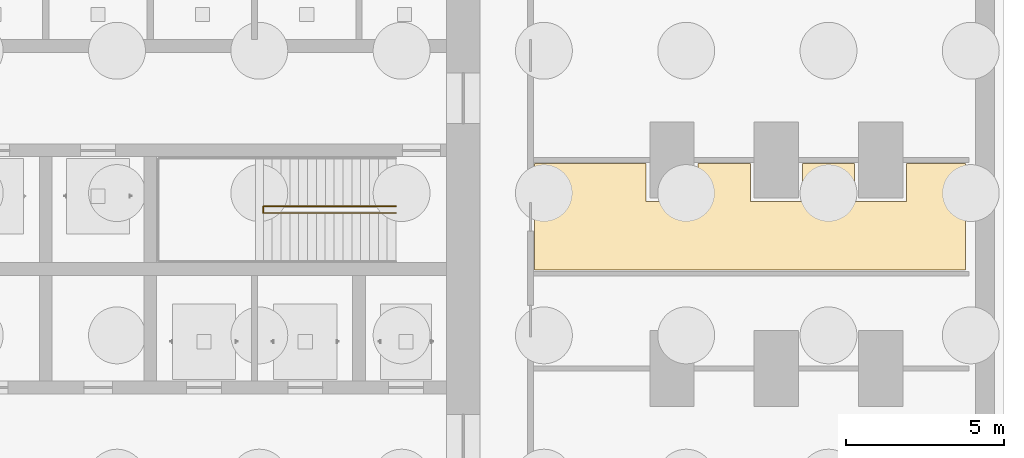
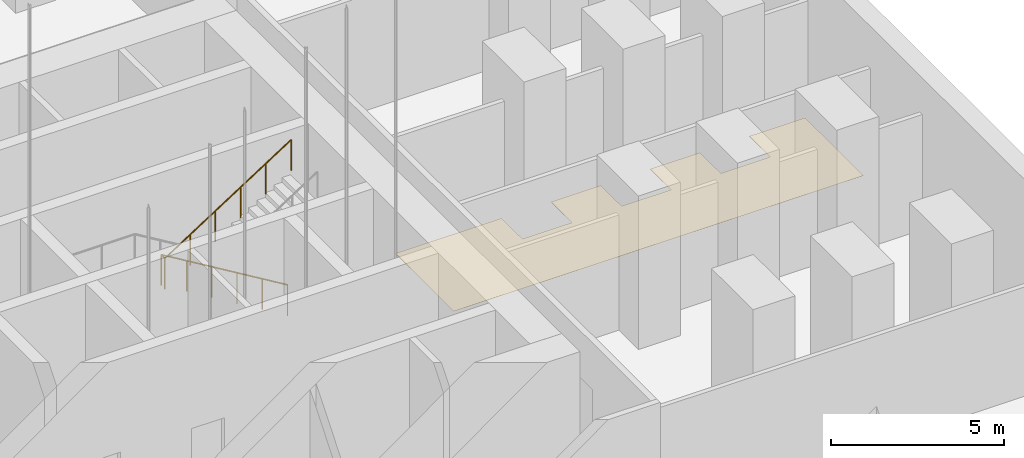
# One storey, part 7 of 17: 1 covering, 1 railing.
"""IFC4 building model written with IfcOpenShell, lengths in metres."""

from ifc_helpers import new_model, si_unit, direction, frame, origin, place, context, subcontext, project, spatial, polyline, outline, extrude, material, layer, layer_set, type_object, element, save


model = new_model("IFC4")

# Units and contexts
model_context = context("Model", 3, precision=1e-05, world=origin(), true_north=direction((0.0, 1.0)))
body_context = subcontext(model_context, "Body", "Model", "MODEL_VIEW")
ifc_project = project(units=[si_unit("LENGTHUNIT", "METRE"), si_unit("AREAUNIT", "SQUARE_METRE"), si_unit("VOLUMEUNIT", "CUBIC_METRE"), si_unit("PLANEANGLEUNIT", "RADIAN"), si_unit("MASSUNIT", "GRAM", prefix="KILO")], contexts=[model_context])

# Site, building, storey
site_placement = place(None, origin())
site = spatial("IfcSite", under=ifc_project, at=site_placement, CompositionType="ELEMENT")
building_placement = place(site_placement, origin())
building = spatial("IfcBuilding", under=site, at=building_placement, Name="Cobogo Forest Laboratory Tower", CompositionType="ELEMENT")
storey_placement = place(building_placement, frame((0.0, 0.0, -5.39990234375)))
storey = spatial("IfcBuildingStorey", under=building, at=storey_placement, Name="L-01", CompositionType="ELEMENT", Elevation=-5.39990234375)

# Railing
ifc_material_1 = material(Name="Steel balustrade", Category="steel")
railing_type = type_object("IfcRailingType", Name="GR stair guard 1100", PredefinedType="GUARDRAIL", material=ifc_material_1)
railing_placement = place(storey_placement, frame((37.47509765625, 24.929931640625, 0.168701171875)))
element("IfcRailing", 1, at=railing_placement, inside=storey, type_object=railing_type, Name="Stair guard ST2 L-01", PredefinedType="GUARDRAIL", context=body_context, shape_type="SweptSolid", body=[
    extrude(outline(polyline([(0.022216796875, 0.00927734375), (0.00927734375, 0.022216796875), (-0.00927734375, 0.022216796875), (-0.022216796875, 0.00927734375), (-0.022216796875, -0.00927734375), (-0.00927734375, -0.022216796875), (0.00927734375, -0.022216796875), (0.022216796875, -0.00927734375), (0.022216796875, 0.00927734375)])), frame((0.0, 0.0, 1.077880859375), z_axis=(-0.856489757249, 0.0, 0.516164020179), x_axis=(0.0, -1.0, 0.0)), (0.0, 0.0, 1.0), 4.904052734375),
    extrude(outline(polyline([(0.022216796875, 0.00927734375), (0.00927734375, 0.022216796875), (-0.00927734375, 0.022216796875), (-0.022216796875, 0.00927734375), (-0.022216796875, -0.00927734375), (-0.00927734375, -0.022216796875), (0.00927734375, -0.022216796875), (0.022216796875, -0.00927734375), (0.022216796875, 0.00927734375)])), frame((-4.2001953125, 0.0, 3.609130859375), z_axis=(0.0, -1.0, 0.0), x_axis=(1.0, 0.0, 0.0)), (0.0, 0.0, 1.0), 0.2099609375),
    extrude(outline(polyline([(0.022216796875, 0.00927734375), (0.00927734375, 0.022216796875), (-0.00927734375, 0.022216796875), (-0.022216796875, 0.00927734375), (-0.022216796875, -0.00927734375), (-0.00927734375, -0.022216796875), (0.00927734375, -0.022216796875), (0.022216796875, -0.00927734375), (0.022216796875, 0.00927734375)])), frame((-4.2001953125, -0.2099609375, 3.609130859375), z_axis=(0.841194361566, 0.0, 0.540732878665), x_axis=(0.0, 1.0, 0.0)), (0.0, 0.0, 1.0), 4.9931640625),
    extrude(outline(polyline([(0.019287109375, 0.008056640625), (0.008056640625, 0.019287109375), (-0.008056640625, 0.019287109375), (-0.019287109375, 0.008056640625), (-0.019287109375, -0.008056640625), (-0.008056640625, -0.019287109375), (0.008056640625, -0.019287109375), (0.019287109375, -0.008056640625), (0.019287109375, 0.008056640625)])), origin(), (0.0, 0.0, 1.0), 1.077880859375),
    extrude(outline(polyline([(0.019287109375, 0.008056640625), (0.008056640625, 0.019287109375), (-0.008056640625, 0.019287109375), (-0.019287109375, 0.008056640625), (-0.019287109375, -0.008056640625), (-0.008056640625, -0.019287109375), (0.008056640625, -0.019287109375), (0.019287109375, -0.008056640625), (0.019287109375, 0.008056640625)])), frame((-0.840087890625, 0.0, 0.50634765625)), (0.0, 0.0, 1.0), 1.077880859375),
    extrude(outline(polyline([(0.019287109375, 0.008056640625), (0.008056640625, 0.019287109375), (-0.008056640625, 0.019287109375), (-0.019287109375, 0.008056640625), (-0.019287109375, -0.008056640625), (-0.008056640625, -0.019287109375), (0.008056640625, -0.019287109375), (0.019287109375, -0.008056640625), (0.019287109375, 0.008056640625)])), frame((-1.68017578125, 0.0, 1.012451171875)), (0.0, 0.0, 1.0), 1.077880859375),
    extrude(outline(polyline([(0.019287109375, 0.008056640625), (0.008056640625, 0.019287109375), (-0.008056640625, 0.019287109375), (-0.019287109375, 0.008056640625), (-0.019287109375, -0.008056640625), (-0.008056640625, -0.019287109375), (0.008056640625, -0.019287109375), (0.019287109375, -0.008056640625), (0.019287109375, 0.008056640625)])), frame((-2.52001953125, 0.0, 1.518798828125)), (0.0, 0.0, 1.0), 1.077880859375),
    extrude(outline(polyline([(0.019287109375, 0.008056640625), (0.008056640625, 0.019287109375), (-0.008056640625, 0.019287109375), (-0.019287109375, 0.008056640625), (-0.019287109375, -0.008056640625), (-0.008056640625, -0.019287109375), (0.008056640625, -0.019287109375), (0.019287109375, -0.008056640625), (0.019287109375, 0.008056640625)])), frame((-3.360107421875, 0.0, 2.02490234375)), (0.0, 0.0, 1.0), 1.077880859375),
    extrude(outline(polyline([(0.019287109375, 0.008056640625), (0.008056640625, 0.019287109375), (-0.008056640625, 0.019287109375), (-0.019287109375, 0.008056640625), (-0.019287109375, -0.008056640625), (-0.008056640625, -0.019287109375), (0.008056640625, -0.019287109375), (0.019287109375, -0.008056640625), (0.019287109375, 0.008056640625)])), frame((-4.2001953125, 0.0, 2.53125)), (0.0, 0.0, 1.0), 1.077880859375),
    extrude(outline(polyline([(0.019287109375, 0.008056640625), (0.008056640625, 0.019287109375), (-0.008056640625, 0.019287109375), (-0.019287109375, 0.008056640625), (-0.019287109375, -0.008056640625), (-0.008056640625, -0.019287109375), (0.008056640625, -0.019287109375), (0.019287109375, -0.008056640625), (0.019287109375, 0.008056640625)])), frame((-4.2001953125, -0.2099609375, 2.53125)), (0.0, 0.0, 1.0), 1.077880859375),
    extrude(outline(polyline([(0.019287109375, 0.008056640625), (0.008056640625, 0.019287109375), (-0.008056640625, 0.019287109375), (-0.019287109375, 0.008056640625), (-0.019287109375, -0.008056640625), (-0.008056640625, -0.019287109375), (0.008056640625, -0.019287109375), (0.019287109375, -0.008056640625), (0.019287109375, 0.008056640625)])), frame((-3.360107421875, -0.2099609375, 3.0712890625)), (0.0, 0.0, 1.0), 1.077880859375),
    extrude(outline(polyline([(0.019287109375, 0.008056640625), (0.008056640625, 0.019287109375), (-0.008056640625, 0.019287109375), (-0.019287109375, 0.008056640625), (-0.019287109375, -0.008056640625), (-0.008056640625, -0.019287109375), (0.008056640625, -0.019287109375), (0.019287109375, -0.008056640625), (0.019287109375, 0.008056640625)])), frame((-2.52001953125, -0.2099609375, 3.611328125)), (0.0, 0.0, 1.0), 1.077880859375),
    extrude(outline(polyline([(0.019287109375, 0.008056640625), (0.008056640625, 0.019287109375), (-0.008056640625, 0.019287109375), (-0.019287109375, 0.008056640625), (-0.019287109375, -0.008056640625), (-0.008056640625, -0.019287109375), (0.008056640625, -0.019287109375), (0.019287109375, -0.008056640625), (0.019287109375, 0.008056640625)])), frame((-1.68017578125, -0.2099609375, 4.151123046875)), (0.0, 0.0, 1.0), 1.077880859375),
    extrude(outline(polyline([(0.019287109375, 0.008056640625), (0.008056640625, 0.019287109375), (-0.008056640625, 0.019287109375), (-0.019287109375, 0.008056640625), (-0.019287109375, -0.008056640625), (-0.008056640625, -0.019287109375), (0.008056640625, -0.019287109375), (0.019287109375, -0.008056640625), (0.019287109375, 0.008056640625)])), frame((-0.840087890625, -0.2099609375, 4.691162109375)), (0.0, 0.0, 1.0), 1.077880859375),
    extrude(outline(polyline([(0.019287109375, 0.008056640625), (0.008056640625, 0.019287109375), (-0.008056640625, 0.019287109375), (-0.019287109375, 0.008056640625), (-0.019287109375, -0.008056640625), (-0.008056640625, -0.019287109375), (0.008056640625, -0.019287109375), (0.019287109375, -0.008056640625), (0.019287109375, 0.008056640625)])), frame((0.0, -0.2099609375, 5.231201171875)), (0.0, 0.0, 1.0), 1.077880859375),
])

# Covering
ifc_material_2 = material(Name="Static-dissipative vinyl flooring", Category="flooring")
ifc_layer = layer(ifc_material_2, 0.0029296875)
ifc_layer_set = layer_set([ifc_layer], Name="SD1 static-dissipative vinyl floor 3")
covering_type = type_object("IfcCoveringType", Name="SD1 static-dissipative vinyl floor 3", PredefinedType="FLOORING", material=ifc_layer_set)
covering_placement = place(storey_placement, origin())
element("IfcCovering", 2, at=covering_placement, inside=storey, type_object=covering_type, Name="Static-dissipative floor L-01-06", PredefinedType="FLOORING", context=body_context, shape_type="SweptSolid", body=[
    extrude(outline(polyline([(41.844970703125, 26.280029296875), (45.3798828125, 26.280029296875), (45.3798828125, 25.080078125), (47.02001953125, 25.080078125), (47.02001953125, 26.280029296875), (48.679931640625, 26.280029296875), (48.679931640625, 25.080078125), (50.320068359375, 25.080078125), (50.320068359375, 26.280029296875), (51.97998046875, 26.280029296875), (51.97998046875, 25.080078125), (53.6201171875, 25.080078125), (53.6201171875, 26.280029296875), (55.47998046875, 26.280029296875), (55.47998046875, 22.919921875), (41.844970703125, 22.919921875), (41.844970703125, 26.280029296875)])), origin(), (0.0, 0.0, 1.0), 0.0029296875),
])

save(model, "model.ifc")
